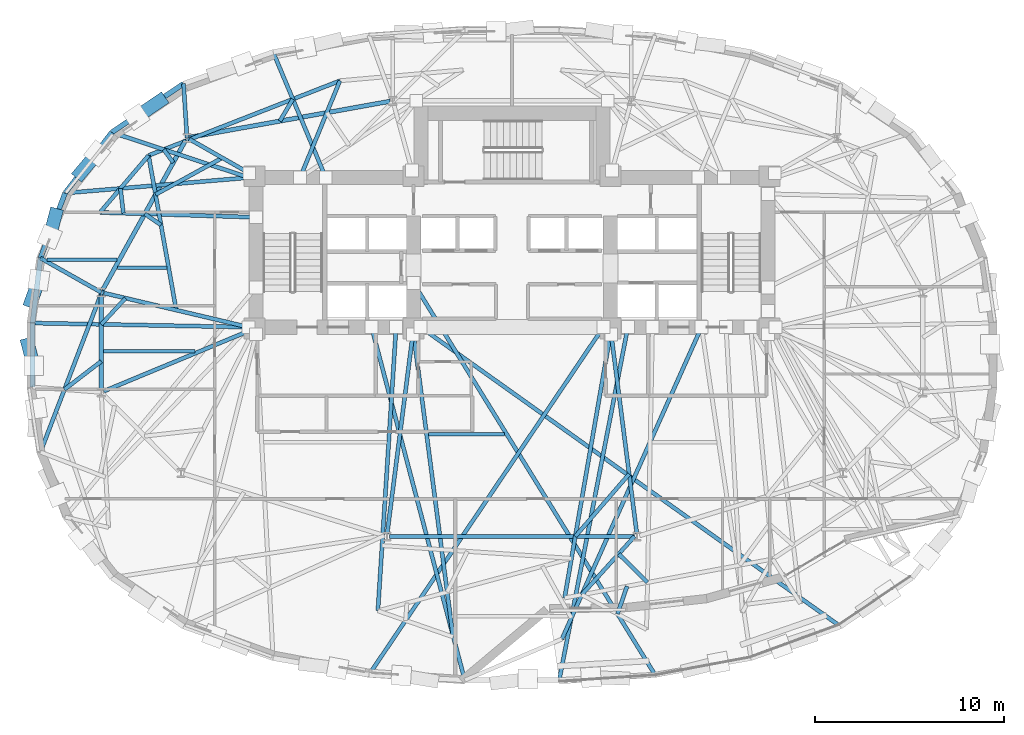
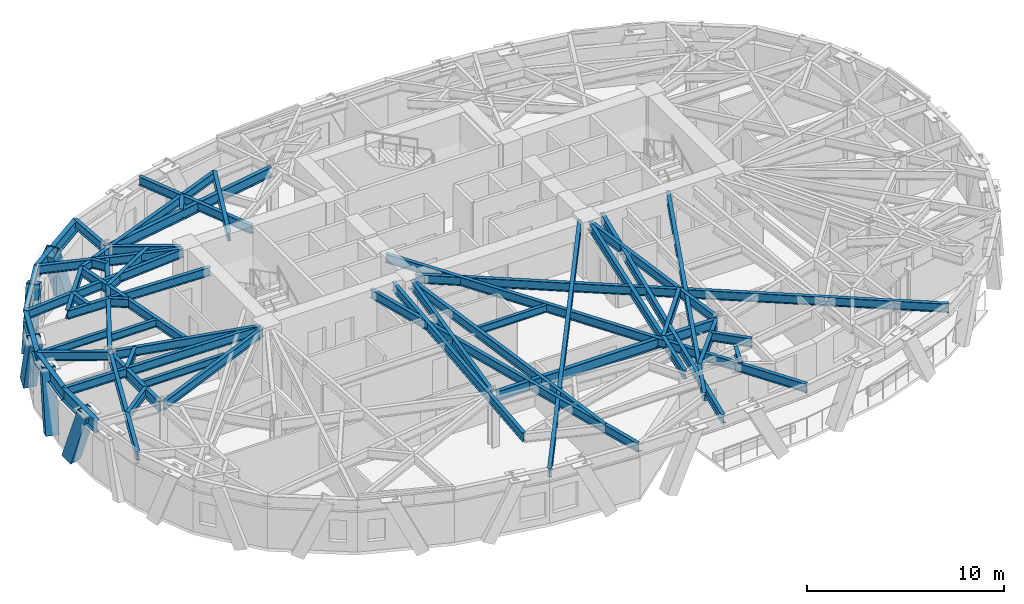
# One storey, part 2 of 14: 50 beams, 5 members.
"""IFC4 building model written with IfcOpenShell, lengths in metres."""

from ifc_helpers import new_model, si_unit, direction, frame, origin, origin_2d, place, context, subcontext, project, spatial, hollow_rectangle, i_section, extrude, material, material_profile, profile_set, type_object, element, save


model = new_model("IFC4")

# Units and contexts
model_context = context("Model", 3, precision=1e-05, world=origin(), true_north=direction((0.0, 1.0)))
body_context = subcontext(model_context, "Body", "Model", "MODEL_VIEW")
ifc_project = project(units=[si_unit("LENGTHUNIT", "METRE"), si_unit("AREAUNIT", "SQUARE_METRE"), si_unit("VOLUMEUNIT", "CUBIC_METRE"), si_unit("PLANEANGLEUNIT", "RADIAN"), si_unit("MASSUNIT", "GRAM", prefix="KILO")], contexts=[model_context])

# Site, building, storey
site_placement = place(None, origin())
site = spatial("IfcSite", under=ifc_project, at=site_placement, CompositionType="ELEMENT")
building_placement = place(site_placement, origin())
building = spatial("IfcBuilding", under=site, at=building_placement, Name="Keldmark Tower", CompositionType="ELEMENT")
storey_placement = place(building_placement, frame((0.0, 0.0, 128.10009765625)))
storey = spatial("IfcBuildingStorey", under=building, at=storey_placement, Name="L34", CompositionType="ELEMENT", Elevation=128.10009765625)

# Beams
ifc_material_1 = material(Name="Steel ASTM A992 Grade 50", Category="steel")
ifc_material_profile_1 = material_profile(ifc_material_1, i_section(OverallWidth=0.19091796875, OverallDepth=0.45703125, WebThickness=0.009033203125, FlangeThickness=0.014404296875, at=origin_2d()), Name="W18X50")
ifc_profile_set_1 = profile_set([ifc_material_profile_1], Name="Steel ASTM A992 Grade 50")
beam_type_1 = type_object("IfcBeamType", Name="Composite Floor Joist W18X50", PredefinedType="JOIST", material=ifc_profile_set_1)
beam_1_placement = place(storey_placement, frame((-4.4140625, -4.179931640625, 3.081298828125), z_axis=(1.0, 0.0, 0.0), x_axis=(0.0, 1.0, 0.0)))
element("IfcBeam", 1, at=beam_1_placement, inside=storey, type_object=beam_type_1, Name="L34 Composite Floor Joist J05", PredefinedType="JOIST", context=body_context, shape_type="SweptSolid", body=[
    extrude(i_section(OverallWidth=0.19091796875, OverallDepth=0.45703125, WebThickness=0.009033203125, FlangeThickness=0.014404296875, at=origin_2d()), origin(), (0.0, 0.0, 1.0), 4.0205078125),
])
beam_2_placement = place(storey_placement, frame((-21.59130859375, 0.199951171875, 3.081298828125), z_axis=(1.0, 0.0, 0.0), x_axis=(0.0, 1.0, 0.0)))
element("IfcBeam", 2, at=beam_2_placement, inside=storey, type_object=beam_type_1, Name="L34 Composite Floor Joist J07", PredefinedType="JOIST", context=body_context, shape_type="SweptSolid", body=[
    extrude(i_section(OverallWidth=0.19091796875, OverallDepth=0.45703125, WebThickness=0.009033203125, FlangeThickness=0.014404296875, at=origin_2d()), origin(), (0.0, 0.0, 1.0), 4.846435546875),
])
beam_3_placement = place(storey_placement, frame((-24.561279296875, 5.0400390625, 3.081298828125), z_axis=(1.0, 0.0, 0.0), x_axis=(0.0, 1.0, 0.0)))
element("IfcBeam", 3, at=beam_3_placement, inside=storey, type_object=beam_type_1, Name="L34 Composite Floor Joist J08", PredefinedType="JOIST", context=body_context, shape_type="SweptSolid", body=[
    extrude(i_section(OverallWidth=0.19091796875, OverallDepth=0.45703125, WebThickness=0.009033203125, FlangeThickness=0.014404296875, at=origin_2d()), origin(), (0.0, 0.0, 1.0), 3.702392578125),
])
beam_4_placement = place(storey_placement, frame((-20.84912109375, 4.6201171875, 3.081298828125), z_axis=(1.0, 0.0, 0.0), x_axis=(0.0, 1.0, 0.0)))
element("IfcBeam", 4, at=beam_4_placement, inside=storey, type_object=beam_type_1, Name="L34 Composite Floor Joist J09", PredefinedType="JOIST", context=body_context, shape_type="SweptSolid", body=[
    extrude(i_section(OverallWidth=0.19091796875, OverallDepth=0.45703125, WebThickness=0.009033203125, FlangeThickness=0.014404296875, at=origin_2d()), origin(), (0.0, 0.0, 1.0), 2.61376953125),
])

# Members
ifc_material_2 = material(Name="Steel ASTM A572 Grade 50", Category="steel")
ifc_material_profile_2 = material_profile(ifc_material_2, hollow_rectangle(XDim=0.699951171875, YDim=0.699951171875, WallThickness=0.044921875, at=origin_2d()), Name="BOX700X700X45")
ifc_profile_set_2 = profile_set([ifc_material_profile_2], Name="Steel ASTM A572 Grade 50")
member_type = type_object("IfcMemberType", Name="Diagrid Zone 2 Brace BOX700X700X45", PredefinedType="BRACE", material=ifc_profile_set_2)
member_1_placement = place(storey_placement, frame((-18.5810546875, 13.434814453125, -0.27001953125), z_axis=(-0.332866052083, -0.227549945207, 0.915107214378), x_axis=(0.564345149751, -0.825538946358, 0.0)))
element("IfcMember", 5, at=member_1_placement, inside=storey, type_object=member_type, Name="L34 Perimeter Diagrid Brace 06B", PredefinedType="BRACE", context=body_context, shape_type="SweptSolid", body=[
    extrude(hollow_rectangle(XDim=0.699951171875, YDim=0.699951171875, WallThickness=0.044921875, at=origin_2d()), origin(), (0.0, 0.0, 1.0), 3.781005859375),
])
member_2_placement = place(storey_placement, frame((-22.799072265625, 9.60888671875, -0.27001953125), z_axis=(0.23692186359, 0.281537445768, 0.929841221491), x_axis=(-0.765128479002, 0.643877636373, 0.0)))
element("IfcMember", 6, at=member_2_placement, inside=storey, type_object=member_type, Name="L34 Perimeter Diagrid Brace 07A", PredefinedType="BRACE", context=body_context, shape_type="SweptSolid", body=[
    extrude(hollow_rectangle(XDim=0.699951171875, YDim=0.699951171875, WallThickness=0.044921875, at=origin_2d()), origin(), (0.0, 0.0, 1.0), 3.720947265625),
])
member_3_placement = place(storey_placement, frame((-24.11376953125, 7.41796875, -0.27001953125), z_axis=(-0.084258205275, -0.321325920274, 0.943212705493), x_axis=(0.967297354931, -0.253645081057, 0.0)))
element("IfcMember", 7, at=member_3_placement, inside=storey, type_object=member_type, Name="L34 Perimeter Diagrid Brace 07B", PredefinedType="BRACE", context=body_context, shape_type="SweptSolid", body=[
    extrude(hollow_rectangle(XDim=0.699951171875, YDim=0.699951171875, WallThickness=0.044921875, at=origin_2d()), origin(), (0.0, 0.0, 1.0), 3.668212890625),
])
member_4_placement = place(storey_placement, frame((-25.397216796875, 2.844970703125, -0.27001953125), z_axis=(0.110913818266, 0.305313308404, 0.945770536985), x_axis=(-0.939901346585, 0.34144612853, 0.0)))
element("IfcMember", 8, at=member_4_placement, inside=storey, type_object=member_type, Name="L34 Perimeter Diagrid Brace 08A", PredefinedType="BRACE", context=body_context, shape_type="SweptSolid", body=[
    extrude(hollow_rectangle(XDim=0.699951171875, YDim=0.699951171875, WallThickness=0.044921875, at=origin_2d()), origin(), (0.0, 0.0, 1.0), 3.658447265625),
])
member_5_placement = place(storey_placement, frame((-25.56689453125, 0.564453125, -0.27001953125), z_axis=(0.081730206424, -0.31041439807, 0.947081345413), x_axis=(0.967042168317, 0.254616269505, 0.0)))
element("IfcMember", 9, at=member_5_placement, inside=storey, type_object=member_type, Name="L34 Perimeter Diagrid Brace 08B", PredefinedType="BRACE", context=body_context, shape_type="SweptSolid", body=[
    extrude(hollow_rectangle(XDim=0.699951171875, YDim=0.699951171875, WallThickness=0.044921875, at=origin_2d()), origin(), (0.0, 0.0, 1.0), 3.6533203125),
])

# Beams
ifc_material_3 = material(Name="Steel ASTM A992 Grade 50", Category="steel")
ifc_material_profile_3 = material_profile(ifc_material_3, i_section(OverallWidth=0.22900390625, OverallDepth=0.612060546875, WebThickness=0.011962890625, FlangeThickness=0.01953125, at=origin_2d()), Name="W24X84")
ifc_profile_set_3 = profile_set([ifc_material_profile_3], Name="Steel ASTM A992 Grade 50")
beam_type_2 = type_object("IfcBeamType", Name="Primary Floor Girder W24X84", PredefinedType="BEAM", material=ifc_profile_set_3)
beam_5_placement = place(storey_placement, frame((-6.4365234375, 13.40771484375, 3.00390625), z_axis=(-0.984218266992, -0.176958760505, 0.0), x_axis=(0.176958760505, -0.984218266992, 0.0)))
element("IfcBeam", 10, at=beam_5_placement, inside=storey, type_object=beam_type_2, Name="L34 Floor Ring Girder FG-R04", PredefinedType="BEAM", context=body_context, shape_type="SweptSolid", body=[
    extrude(i_section(OverallWidth=0.22900390625, OverallDepth=0.612060546875, WebThickness=0.011962890625, FlangeThickness=0.01953125, at=origin_2d()), origin(), (0.0, 0.0, 1.0), 10.7626953125),
])
beam_6_placement = place(storey_placement, frame((-17.235107421875, 11.35595703125, 3.00390625), z_axis=(-0.484951836703, -0.874540860154, 0.0), x_axis=(0.874540860154, -0.484951836703, 0.0)))
element("IfcBeam", 11, at=beam_6_placement, inside=storey, type_object=beam_type_2, Name="L34 Floor Ring Girder FG-R05", PredefinedType="BEAM", context=body_context, shape_type="SweptSolid", body=[
    extrude(i_section(OverallWidth=0.22900390625, OverallDepth=0.612060546875, WebThickness=0.011962890625, FlangeThickness=0.01953125, at=origin_2d()), origin(), (0.0, 0.0, 1.0), 9.060302734375),
])
beam_7_placement = place(storey_placement, frame((-21.697021484375, 3.169921875, 3.00390625), z_axis=(0.0, -1.0, 0.0), x_axis=(1.0, 0.0, 0.0)))
element("IfcBeam", 12, at=beam_7_placement, inside=storey, type_object=beam_type_2, Name="L34 Floor Ring Girder FG-R06", PredefinedType="BEAM", context=body_context, shape_type="SweptSolid", body=[
    extrude(i_section(OverallWidth=0.22900390625, OverallDepth=0.612060546875, WebThickness=0.011962890625, FlangeThickness=0.01953125, at=origin_2d()), origin(), (0.0, 0.0, 1.0), 4.995849609375),
])
beam_8_placement = place(storey_placement, frame((-6.472900390625, -9.579345703125, 3.00390625), z_axis=(1.0, 0.0, 0.0), x_axis=(0.0, 1.0, 0.0)))
element("IfcBeam", 13, at=beam_8_placement, inside=storey, type_object=beam_type_2, Name="L34 Floor Ring Girder FG-R09", PredefinedType="BEAM", context=body_context, shape_type="SweptSolid", body=[
    extrude(i_section(OverallWidth=0.22900390625, OverallDepth=0.612060546875, WebThickness=0.011962890625, FlangeThickness=0.01953125, at=origin_2d()), origin(), (0.0, 0.0, 1.0), 12.94580078125),
])
ifc_material_4 = material(Name="Steel ASTM A992 Grade 50", Category="steel")
ifc_material_profile_4 = material_profile(ifc_material_4, i_section(OverallWidth=0.2099609375, OverallDepth=0.537109375, WebThickness=0.010986328125, FlangeThickness=0.017333984375, at=origin_2d()), Name="W21X68")
ifc_profile_set_4 = profile_set([ifc_material_profile_4], Name="Steel ASTM A992 Grade 50")
beam_type_3 = type_object("IfcBeamType", Name="Radial Tie Girder W21X68", PredefinedType="BEAM", material=ifc_profile_set_4)
beam_9_placement = place(storey_placement, frame((-17.04541015625, 11.4091796875, 3.04150390625), z_axis=(0.86928447329, -0.494312152892, 0.0), x_axis=(0.494312152892, 0.86928447329, 0.0)))
element("IfcBeam", 14, at=beam_9_placement, inside=storey, type_object=beam_type_3, Name="L34 Floor Radial Girder FG-C05", PredefinedType="BEAM", context=body_context, shape_type="SweptSolid", body=[
    extrude(i_section(OverallWidth=0.2099609375, OverallDepth=0.537109375, WebThickness=0.010986328125, FlangeThickness=0.017333984375, at=origin_2d()), origin(), (0.0, 0.0, 1.0), 3.6435546875),
])
beam_10_placement = place(storey_placement, frame((-21.560546875, 3.27783203125, 3.04150390625), z_axis=(0.973283778272, -0.229605502879, 0.0), x_axis=(0.229605502879, 0.973283778272, 0.0)))
element("IfcBeam", 15, at=beam_10_placement, inside=storey, type_object=beam_type_3, Name="L34 Floor Radial Girder FG-C06", PredefinedType="BEAM", context=body_context, shape_type="SweptSolid", body=[
    extrude(i_section(OverallWidth=0.2099609375, OverallDepth=0.537109375, WebThickness=0.010986328125, FlangeThickness=0.017333984375, at=origin_2d()), origin(), (0.0, 0.0, 1.0), 7.85888671875),
])
beam_11_placement = place(storey_placement, frame((-21.567626953125, -1.912109375, 3.04150390625), z_axis=(0.923397393633, 0.383845350932, 0.0), x_axis=(-0.383845350932, 0.923397393633, 0.0)))
element("IfcBeam", 16, at=beam_11_placement, inside=storey, type_object=beam_type_3, Name="L34 Floor Radial Girder FG-C07", PredefinedType="BEAM", context=body_context, shape_type="SweptSolid", body=[
    extrude(i_section(OverallWidth=0.2099609375, OverallDepth=0.537109375, WebThickness=0.010986328125, FlangeThickness=0.017333984375, at=origin_2d()), origin(), (0.0, 0.0, 1.0), 8.30859375),
])
for number, where, z_axis, x_axis, name in (
    (17, (-6.594970703125, -9.4404296875, 3.04150390625), (0.127642040045, 0.991820301069, 0.0), (-0.991820301069, 0.127642040045, 0.0), "L34 Floor Radial Girder FG-C09"),
    (18, (6.594970703125, -9.4404296875, 3.04150390625), (-0.127642040045, 0.991820301069, 0.0), (-0.991820301069, -0.127642040045, 0.0), "L34 Floor Radial Girder FG-C10"),
):
    element("IfcBeam", number, at=place(storey_placement, frame(where, z_axis=z_axis, x_axis=x_axis)), inside=storey, type_object=beam_type_3, Name=name, PredefinedType="BEAM", context=body_context, shape_type="SweptSolid", body=[
        extrude(i_section(OverallWidth=0.2099609375, OverallDepth=0.537109375, WebThickness=0.010986328125, FlangeThickness=0.017333984375, at=origin_2d()), origin(), (0.0, 0.0, 1.0), 10.609619140625),
    ])
beam_12_placement = place(storey_placement, frame((-11.19287109375, 9.375, 3.04150390625), z_axis=(0.380156934952, 0.92492199931, 0.0), x_axis=(-0.92492199931, 0.380156934952, 0.0)))
element("IfcBeam", 19, at=beam_12_placement, inside=storey, type_object=beam_type_3, Name="L34 Sub-Ring Step Girder STP1-M05", PredefinedType="BEAM", context=body_context, shape_type="SweptSolid", body=[
    extrude(i_section(OverallWidth=0.2099609375, OverallDepth=0.537109375, WebThickness=0.010986328125, FlangeThickness=0.017333984375, at=origin_2d()), origin(), (0.0, 0.0, 1.0), 5.53076171875),
])
beam_13_placement = place(storey_placement, frame((-15.303466796875, 10.418701171875, 3.04150390625), z_axis=(-0.876409320531, -0.481566924618, 0.0), x_axis=(0.481566924618, -0.876409320531, 0.0)))
element("IfcBeam", 20, at=beam_13_placement, inside=storey, type_object=beam_type_3, Name="L34 Framing Pin Header PH-006", PredefinedType="BEAM", context=body_context, shape_type="SweptSolid", body=[
    extrude(i_section(OverallWidth=0.2099609375, OverallDepth=0.537109375, WebThickness=0.010986328125, FlangeThickness=0.017333984375, at=origin_2d()), origin(), (0.0, 0.0, 1.0), 4.022705078125),
])
beam_14_placement = place(storey_placement, frame((-17.736083984375, 2.375732421875, 3.04150390625), z_axis=(-0.176199966005, 0.984354393488, 0.0), x_axis=(-0.984354393488, -0.176199966005, 0.0)))
element("IfcBeam", 21, at=beam_14_placement, inside=storey, type_object=beam_type_3, Name="L34 Sub-Ring Step Girder STP1-M06", PredefinedType="BEAM", context=body_context, shape_type="SweptSolid", body=[
    extrude(i_section(OverallWidth=0.2099609375, OverallDepth=0.537109375, WebThickness=0.010986328125, FlangeThickness=0.017333984375, at=origin_2d()), origin(), (0.0, 0.0, 1.0), 8.29833984375),
])
beam_15_placement = place(storey_placement, frame((-9.09033203125, 14.490478515625, 3.04150390625), z_axis=(-0.931523340879, -0.363681543934, 0.0), x_axis=(0.363681543934, -0.931523340879, 0.0)))
element("IfcBeam", 22, at=beam_15_placement, inside=storey, type_object=beam_type_3, Name="L34 Perimeter Collector Ring Beam CRG1-M05", PredefinedType="BEAM", context=body_context, shape_type="SweptSolid", body=[
    extrude(i_section(OverallWidth=0.2099609375, OverallDepth=0.537109375, WebThickness=0.010986328125, FlangeThickness=0.017333984375, at=origin_2d()), origin(), (0.0, 0.0, 1.0), 10.850830078125),
])
beam_16_placement = place(storey_placement, frame((6.188720703125, -6.283447265625, 3.04150390625), z_axis=(-0.653456352154, -0.756964197192, 0.0), x_axis=(0.756964197192, -0.653456352154, 0.0)))
element("IfcBeam", 23, at=beam_16_placement, inside=storey, type_object=beam_type_3, Name="L34 Framing Pin Header PH-007", PredefinedType="BEAM", context=body_context, shape_type="SweptSolid", body=[
    extrude(i_section(OverallWidth=0.2099609375, OverallDepth=0.537109375, WebThickness=0.010986328125, FlangeThickness=0.017333984375, at=origin_2d()), origin(), (0.0, 0.0, 1.0), 4.35400390625),
])
beam_17_placement = place(storey_placement, frame((5.199951171875, 1.10009765625, 3.04150390625), z_axis=(-0.171263927692, -0.985225185971, 0.0), x_axis=(0.985225185971, -0.171263927692, 0.0)))
element("IfcBeam", 24, at=beam_17_placement, inside=storey, type_object=beam_type_3, Name="L34 Sub-Ring Step Girder STP2-M10", PredefinedType="BEAM", context=body_context, shape_type="SweptSolid", body=[
    extrude(i_section(OverallWidth=0.2099609375, OverallDepth=0.537109375, WebThickness=0.010986328125, FlangeThickness=0.017333984375, at=origin_2d()), origin(), (0.0, 0.0, 1.0), 14.138427734375),
])
beam_18_placement = place(storey_placement, frame((-12.2626953125, 12.360107421875, 3.04150390625), z_axis=(0.509290771818, 0.860594509476, 0.0), x_axis=(-0.860594509476, 0.509290771818, 0.0)))
element("IfcBeam", 25, at=beam_18_placement, inside=storey, type_object=beam_type_3, Name="L34 Framing Pin Header PH-016", PredefinedType="BEAM", context=body_context, shape_type="SweptSolid", body=[
    extrude(i_section(OverallWidth=0.2099609375, OverallDepth=0.537109375, WebThickness=0.010986328125, FlangeThickness=0.017333984375, at=origin_2d()), origin(), (0.0, 0.0, 1.0), 1.347412109375),
])
beam_19_placement = place(storey_placement, frame((-9.83935546875, 9.375, 3.04150390625), z_axis=(-0.38653574613, 0.92227442606, 0.0), x_axis=(-0.92227442606, -0.38653574613, 0.0)))
element("IfcBeam", 26, at=beam_19_placement, inside=storey, type_object=beam_type_3, Name="L34 Perimeter Radial Tie Girder RT-11", PredefinedType="BEAM", context=body_context, shape_type="SweptSolid", body=[
    extrude(i_section(OverallWidth=0.2099609375, OverallDepth=0.537109375, WebThickness=0.010986328125, FlangeThickness=0.017333984375, at=origin_2d()), origin(), (0.0, 0.0, 1.0), 7.191650390625),
])
beam_20_placement = place(storey_placement, frame((-17.1669921875, 11.478271484375, 3.04150390625), z_axis=(-0.06397671116, 0.997951391817, 0.0), x_axis=(-0.997951391817, -0.06397671116, 0.0)))
element("IfcBeam", 27, at=beam_20_placement, inside=storey, type_object=beam_type_3, Name="L34 Perimeter Column Bracket RT-12", PredefinedType="BEAM", context=body_context, shape_type="SweptSolid", body=[
    extrude(i_section(OverallWidth=0.2099609375, OverallDepth=0.537109375, WebThickness=0.010986328125, FlangeThickness=0.017333984375, at=origin_2d()), origin(), (0.0, 0.0, 1.0), 2.862060546875),
])
beam_21_placement = place(storey_placement, frame((-17.89404296875, 10.16748046875, 3.04150390625), z_axis=(-0.587098903386, 0.809515211495, 0.0), x_axis=(-0.809515211495, -0.587098903386, 0.0)))
element("IfcBeam", 28, at=beam_21_placement, inside=storey, type_object=beam_type_3, Name="L34 Framing Pin Header PH-017", PredefinedType="BEAM", context=body_context, shape_type="SweptSolid", body=[
    extrude(i_section(OverallWidth=0.2099609375, OverallDepth=0.537109375, WebThickness=0.010986328125, FlangeThickness=0.017333984375, at=origin_2d()), origin(), (0.0, 0.0, 1.0), 0.852783203125),
])
beam_22_placement = place(storey_placement, frame((-13.89990234375, 9.375, 3.04150390625), z_axis=(-0.949658467543, 0.313287080844, 0.0), x_axis=(-0.313287080844, -0.949658467543, 0.0)))
element("IfcBeam", 29, at=beam_22_placement, inside=storey, type_object=beam_type_3, Name="L34 Perimeter Radial Tie Girder RT-13", PredefinedType="BEAM", context=body_context, shape_type="SweptSolid", body=[
    extrude(i_section(OverallWidth=0.2099609375, OverallDepth=0.537109375, WebThickness=0.010986328125, FlangeThickness=0.017333984375, at=origin_2d()), origin(), (0.0, 0.0, 1.0), 7.625244140625),
])
beam_23_placement = place(storey_placement, frame((-18.540283203125, 6.868408203125, 3.04150390625), z_axis=(-0.822133027431, 0.569295428761, 0.0), x_axis=(-0.569295428761, -0.822133027431, 0.0)))
element("IfcBeam", 30, at=beam_23_placement, inside=storey, type_object=beam_type_3, Name="L34 Framing Pin Header PH-018", PredefinedType="BEAM", context=body_context, shape_type="SweptSolid", body=[
    extrude(i_section(OverallWidth=0.2099609375, OverallDepth=0.537109375, WebThickness=0.010986328125, FlangeThickness=0.017333984375, at=origin_2d()), origin(), (0.0, 0.0, 1.0), 1.0400390625),
])
beam_24_placement = place(storey_placement, frame((-13.52490234375, 7.278564453125, 3.04150390625), z_axis=(-0.999521048581, 0.030946299353, 0.0), x_axis=(-0.030946299353, -0.999521048581, 0.0)))
element("IfcBeam", 31, at=beam_24_placement, inside=storey, type_object=beam_type_3, Name="L34 Intermediate Radial Step Girder RT-14M", PredefinedType="BEAM", context=body_context, shape_type="SweptSolid", body=[
    extrude(i_section(OverallWidth=0.2099609375, OverallDepth=0.537109375, WebThickness=0.010986328125, FlangeThickness=0.017333984375, at=origin_2d()), origin(), (0.0, 0.0, 1.0), 8.244140625),
])
beam_25_placement = place(storey_placement, frame((-19.1982421875, 10.544189453125, 3.04150390625), z_axis=(-0.648817367581, -0.76094416584, 0.0), x_axis=(0.76094416584, -0.648817367581, 0.0)))
element("IfcBeam", 32, at=beam_25_placement, inside=storey, type_object=beam_type_3, Name="L34 Local Collector Chord RT-14C", PredefinedType="BEAM", context=body_context, shape_type="SweptSolid", body=[
    extrude(i_section(OverallWidth=0.2099609375, OverallDepth=0.537109375, WebThickness=0.010986328125, FlangeThickness=0.017333984375, at=origin_2d()), origin(), (0.0, 0.0, 1.0), 3.956298828125),
])
beam_26_placement = place(storey_placement, frame((-20.529296875, 7.49560546875, 3.04150390625), z_axis=(-0.116841247567, 0.993150604323, 0.0), x_axis=(-0.993150604323, -0.116841247567, 0.0)))
element("IfcBeam", 33, at=beam_26_placement, inside=storey, type_object=beam_type_3, Name="L34 Framing Pin Header PH-019", PredefinedType="BEAM", context=body_context, shape_type="SweptSolid", body=[
    extrude(i_section(OverallWidth=0.2099609375, OverallDepth=0.537109375, WebThickness=0.010986328125, FlangeThickness=0.017333984375, at=origin_2d()), origin(), (0.0, 0.0, 1.0), 1.31640625),
])
beam_27_placement = place(storey_placement, frame((-13.89990234375, 9.375, 3.04150390625), z_axis=(-0.996462314215, -0.084040801697, 0.0), x_axis=(0.084040801697, -0.996462314215, 0.0)))
element("IfcBeam", 34, at=beam_27_placement, inside=storey, type_object=beam_type_3, Name="L34 Perimeter Radial Tie Girder RT-14", PredefinedType="BEAM", context=body_context, shape_type="SweptSolid", body=[
    extrude(i_section(OverallWidth=0.2099609375, OverallDepth=0.537109375, WebThickness=0.010986328125, FlangeThickness=0.017333984375, at=origin_2d()), origin(), (0.0, 0.0, 1.0), 9.743408203125),
])
beam_28_placement = place(storey_placement, frame((-21.697021484375, 3.309814453125, 3.04150390625), z_axis=(-0.870805571728, 0.49162755847, 0.0), x_axis=(-0.49162755847, -0.870805571728, 0.0)))
element("IfcBeam", 35, at=beam_28_placement, inside=storey, type_object=beam_type_3, Name="L34 Perimeter Column Bracket RT-15", PredefinedType="BEAM", context=body_context, shape_type="SweptSolid", body=[
    extrude(i_section(OverallWidth=0.2099609375, OverallDepth=0.537109375, WebThickness=0.010986328125, FlangeThickness=0.017333984375, at=origin_2d()), origin(), (0.0, 0.0, 1.0), 3.688720703125),
])
beam_29_placement = place(storey_placement, frame((-20.4130859375, 3.007080078125, 3.04150390625), z_axis=(-0.6799698992, -0.733240026309, 0.0), x_axis=(0.733240026309, -0.6799698992, 0.0)))
element("IfcBeam", 36, at=beam_29_placement, inside=storey, type_object=beam_type_3, Name="L34 Framing Pin Header PH-020", PredefinedType="BEAM", context=body_context, shape_type="SweptSolid", body=[
    extrude(i_section(OverallWidth=0.2099609375, OverallDepth=0.537109375, WebThickness=0.010986328125, FlangeThickness=0.017333984375, at=origin_2d()), origin(), (0.0, 0.0, 1.0), 1.88818359375),
])
beam_30_placement = place(storey_placement, frame((-13.89990234375, 1.47509765625, 3.04150390625), z_axis=(-0.999820921481, 0.018924190054, 0.0), x_axis=(-0.018924190054, -0.999820921481, 0.0)))
element("IfcBeam", 37, at=beam_30_placement, inside=storey, type_object=beam_type_3, Name="L34 Perimeter Radial Tie Girder RT-16", PredefinedType="BEAM", context=body_context, shape_type="SweptSolid", body=[
    extrude(i_section(OverallWidth=0.2099609375, OverallDepth=0.537109375, WebThickness=0.010986328125, FlangeThickness=0.017333984375, at=origin_2d()), origin(), (0.0, 0.0, 1.0), 11.43017578125),
])
beam_31_placement = place(storey_placement, frame((-21.697021484375, -0.3271484375, 3.04150390625), z_axis=(-0.793548651541, -0.608506809854, 0.0), x_axis=(0.608506809854, -0.793548651541, 0.0)))
element("IfcBeam", 38, at=beam_31_placement, inside=storey, type_object=beam_type_3, Name="L34 Framing Pin Header PH-021", PredefinedType="BEAM", context=body_context, shape_type="SweptSolid", body=[
    extrude(i_section(OverallWidth=0.2099609375, OverallDepth=0.537109375, WebThickness=0.010986328125, FlangeThickness=0.017333984375, at=origin_2d()), origin(), (0.0, 0.0, 1.0), 2.451416015625),
])
beam_32_placement = place(storey_placement, frame((-21.62890625, 3.432373046875, 3.04150390625), z_axis=(-0.357993313384, -0.933724149614, 0.0), x_axis=(0.933724149614, -0.357993313384, 0.0)))
element("IfcBeam", 39, at=beam_32_placement, inside=storey, type_object=beam_type_3, Name="L34 Perimeter Radial Tie Girder RT-18", PredefinedType="BEAM", context=body_context, shape_type="SweptSolid", body=[
    extrude(i_section(OverallWidth=0.2099609375, OverallDepth=0.537109375, WebThickness=0.010986328125, FlangeThickness=0.017333984375, at=origin_2d()), origin(), (0.0, 0.0, 1.0), 9.162841796875),
])
beam_33_placement = place(storey_placement, frame((-6.121337890625, 1.47509765625, 3.04150390625), z_axis=(-0.064143573789, -0.997940680573, 0.0), x_axis=(0.997940680573, -0.064143573789, 0.0)))
element("IfcBeam", 40, at=beam_33_placement, inside=storey, type_object=beam_type_3, Name="L34 Intermediate Radial Step Girder RT-23M", PredefinedType="BEAM", context=body_context, shape_type="SweptSolid", body=[
    extrude(i_section(OverallWidth=0.2099609375, OverallDepth=0.537109375, WebThickness=0.010986328125, FlangeThickness=0.017333984375, at=origin_2d()), origin(), (0.0, 0.0, 1.0), 15.015380859375),
])
beam_34_placement = place(storey_placement, frame((-5.199951171875, 1.10009765625, 3.04150390625), z_axis=(0.129405860436, -0.991591711989, 0.0), x_axis=(0.991591711989, 0.129405860436, 0.0)))
element("IfcBeam", 41, at=beam_34_placement, inside=storey, type_object=beam_type_3, Name="L34 Intermediate Radial Step Girder RT-24M", PredefinedType="BEAM", context=body_context, shape_type="SweptSolid", body=[
    extrude(i_section(OverallWidth=0.2099609375, OverallDepth=0.537109375, WebThickness=0.010986328125, FlangeThickness=0.017333984375, at=origin_2d()), origin(), (0.0, 0.0, 1.0), 16.123046875),
])
beam_35_placement = place(storey_placement, frame((-7.41796875, 1.47509765625, 3.04150390625), z_axis=(0.255265204255, -0.966871074909, 0.0), x_axis=(0.966871074909, 0.255265204255, 0.0)))
element("IfcBeam", 42, at=beam_35_placement, inside=storey, type_object=beam_type_3, Name="L34 Perimeter Radial Tie Girder RT-24", PredefinedType="BEAM", context=body_context, shape_type="SweptSolid", body=[
    extrude(i_section(OverallWidth=0.2099609375, OverallDepth=0.537109375, WebThickness=0.010986328125, FlangeThickness=0.017333984375, at=origin_2d()), origin(), (0.0, 0.0, 1.0), 19.287109375),
])
beam_36_placement = place(storey_placement, frame((6.472900390625, -9.579345703125, 3.04150390625), z_axis=(-0.671065624222, -0.741397955208, 0.0), x_axis=(0.741397955208, -0.671065624222, 0.0)))
element("IfcBeam", 43, at=beam_36_placement, inside=storey, type_object=beam_type_3, Name="L34 Framing Pin Header PH-027", PredefinedType="BEAM", context=body_context, shape_type="SweptSolid", body=[
    extrude(i_section(OverallWidth=0.2099609375, OverallDepth=0.537109375, WebThickness=0.010986328125, FlangeThickness=0.017333984375, at=origin_2d()), origin(), (0.0, 0.0, 1.0), 4.155029296875),
])
beam_37_placement = place(storey_placement, frame((10.0107421875, 1.47509765625, 3.04150390625), z_axis=(-0.40850633031, -0.912755486479, 0.0), x_axis=(0.912755486479, -0.40850633031, 0.0)))
element("IfcBeam", 44, at=beam_37_placement, inside=storey, type_object=beam_type_3, Name="L34 Intermediate Radial Step Girder RT-25M", PredefinedType="BEAM", context=body_context, shape_type="SweptSolid", body=[
    extrude(i_section(OverallWidth=0.2099609375, OverallDepth=0.537109375, WebThickness=0.010986328125, FlangeThickness=0.017333984375, at=origin_2d()), origin(), (0.0, 0.0, 1.0), 18.05126953125),
])
beam_38_placement = place(storey_placement, frame((6.121337890625, 1.47509765625, 3.04150390625), z_axis=(-0.190903712125, -0.981608767635, 0.0), x_axis=(0.981608767635, -0.190903712125, 0.0)))
element("IfcBeam", 45, at=beam_38_placement, inside=storey, type_object=beam_type_3, Name="L34 Perimeter Radial Tie Girder RT-25", PredefinedType="BEAM", context=body_context, shape_type="SweptSolid", body=[
    extrude(i_section(OverallWidth=0.2099609375, OverallDepth=0.537109375, WebThickness=0.010986328125, FlangeThickness=0.017333984375, at=origin_2d()), origin(), (0.0, 0.0, 1.0), 18.99755859375),
])
beam_39_placement = place(storey_placement, frame((5.63623046875, -10.50341796875, 3.04150390625), z_axis=(0.71023590374, -0.703963749805, 0.0), x_axis=(0.703963749805, 0.71023590374, 0.0)))
element("IfcBeam", 46, at=beam_39_placement, inside=storey, type_object=beam_type_3, Name="L34 Framing Pin Header PH-029", PredefinedType="BEAM", context=body_context, shape_type="SweptSolid", body=[
    extrude(i_section(OverallWidth=0.2099609375, OverallDepth=0.537109375, WebThickness=0.010986328125, FlangeThickness=0.017333984375, at=origin_2d()), origin(), (0.0, 0.0, 1.0), 2.140869140625),
])
beam_40_placement = place(storey_placement, frame((6.076416015625, -12.21240234375, 3.04150390625), z_axis=(-0.325932226808, -0.945393137022, 0.0), x_axis=(0.945393137022, -0.325932226808, 0.0)))
element("IfcBeam", 47, at=beam_40_placement, inside=storey, type_object=beam_type_3, Name="L34 Framing Pin Header PH-030", PredefinedType="BEAM", context=body_context, shape_type="SweptSolid", body=[
    extrude(i_section(OverallWidth=0.2099609375, OverallDepth=0.537109375, WebThickness=0.010986328125, FlangeThickness=0.017333984375, at=origin_2d()), origin(), (0.0, 0.0, 1.0), 1.54443359375),
])
beam_41_placement = place(storey_placement, frame((-5.199951171875, 3.800048828125, 3.04150390625), z_axis=(0.524821871943, -0.851212078586, 0.0), x_axis=(0.851212078586, 0.524821871943, 0.0)))
element("IfcBeam", 48, at=beam_41_placement, inside=storey, type_object=beam_type_3, Name="L34 Perimeter Radial Tie Girder RT-26", PredefinedType="BEAM", context=body_context, shape_type="SweptSolid", body=[
    extrude(i_section(OverallWidth=0.2099609375, OverallDepth=0.537109375, WebThickness=0.010986328125, FlangeThickness=0.017333984375, at=origin_2d()), origin(), (0.0, 0.0, 1.0), 24.3056640625),
])
beam_42_placement = place(storey_placement, frame((-4.824951171875, 1.47509765625, 3.04150390625), z_axis=(0.814249828285, -0.58051461406, 0.0), x_axis=(0.58051461406, 0.814249828285, 0.0)))
element("IfcBeam", 49, at=beam_42_placement, inside=storey, type_object=beam_type_3, Name="L34 Perimeter Radial Tie Girder RT-28", PredefinedType="BEAM", context=body_context, shape_type="SweptSolid", body=[
    extrude(i_section(OverallWidth=0.2099609375, OverallDepth=0.537109375, WebThickness=0.010986328125, FlangeThickness=0.017333984375, at=origin_2d()), origin(), (0.0, 0.0, 1.0), 27.233642578125),
])
beam_43_placement = place(storey_placement, frame((4.824951171875, 1.47509765625, 3.04150390625), z_axis=(-0.559014617379, -0.829157800154, 0.0), x_axis=(0.829157800154, -0.559014617379, 0.0)))
element("IfcBeam", 50, at=beam_43_placement, inside=storey, type_object=beam_type_3, Name="L34 Perimeter Radial Tie Girder RT-23R", PredefinedType="BEAM", context=body_context, shape_type="SweptSolid", body=[
    extrude(i_section(OverallWidth=0.2099609375, OverallDepth=0.537109375, WebThickness=0.010986328125, FlangeThickness=0.017333984375, at=origin_2d()), origin(), (0.0, 0.0, 1.0), 22.148193359375),
])
ifc_material_5 = material(Name="Steel ASTM A992 Grade 50", Category="steel")
ifc_material_profile_5 = material_profile(ifc_material_5, i_section(OverallWidth=0.26806640625, OverallDepth=0.77001953125, WebThickness=0.015625, FlangeThickness=0.025390625, at=origin_2d()), Name="W30X132")
ifc_profile_set_5 = profile_set([ifc_material_profile_5], Name="Steel ASTM A992 Grade 50")
beam_type_4 = type_object("IfcBeamType", Name="Spandrel Ring Beam W30X132", PredefinedType="SPANDREL", material=ifc_profile_set_5)
beam_44_placement = place(storey_placement, frame((-17.35009765625, 14.33447265625, 2.9248046875), z_axis=(-0.827687098101, -0.561189867725, 0.0), x_axis=(0.561189867725, -0.827687098101, 0.0)))
element("IfcBeam", 51, at=beam_44_placement, inside=storey, type_object=beam_type_4, Name="L34 Perimeter Spandrel Ring Beam SRB-12", PredefinedType="SPANDREL", context=body_context, shape_type="SweptSolid", body=[
    extrude(i_section(OverallWidth=0.26806640625, OverallDepth=0.77001953125, WebThickness=0.015625, FlangeThickness=0.025390625, at=origin_2d()), origin(), (0.0, 0.0, 1.0), 4.58056640625),
])
beam_45_placement = place(storey_placement, frame((-21.141357421875, 11.763916015625, 2.9248046875), z_axis=(-0.609713676223, -0.792621746501, 0.0), x_axis=(0.792621746501, -0.609713676223, 0.0)))
element("IfcBeam", 52, at=beam_45_placement, inside=storey, type_object=beam_type_4, Name="L34 Perimeter Spandrel Ring Beam SRB-13", PredefinedType="SPANDREL", context=body_context, shape_type="SweptSolid", body=[
    extrude(i_section(OverallWidth=0.26806640625, OverallDepth=0.77001953125, WebThickness=0.015625, FlangeThickness=0.025390625, at=origin_2d()), origin(), (0.0, 0.0, 1.0), 4.047119140625),
])
beam_46_placement = place(storey_placement, frame((-23.60888671875, 8.55615234375, 2.9248046875), z_axis=(-0.354219131363, -0.935162449511, 0.0), x_axis=(0.935162449511, -0.354219131363, 0.0)))
element("IfcBeam", 53, at=beam_46_placement, inside=storey, type_object=beam_type_4, Name="L34 Perimeter Spandrel Ring Beam SRB-14", PredefinedType="SPANDREL", context=body_context, shape_type="SweptSolid", body=[
    extrude(i_section(OverallWidth=0.26806640625, OverallDepth=0.77001953125, WebThickness=0.015625, FlangeThickness=0.025390625, at=origin_2d()), origin(), (0.0, 0.0, 1.0), 3.6708984375),
])
beam_47_placement = place(storey_placement, frame((-24.9091796875, 5.123291015625, 2.9248046875), z_axis=(-0.121174866484, -0.992631176083, 0.0), x_axis=(0.992631176083, -0.121174866484, 0.0)))
element("IfcBeam", 54, at=beam_47_placement, inside=storey, type_object=beam_type_4, Name="L34 Perimeter Spandrel Ring Beam SRB-15", PredefinedType="SPANDREL", context=body_context, shape_type="SweptSolid", body=[
    extrude(i_section(OverallWidth=0.26806640625, OverallDepth=0.77001953125, WebThickness=0.015625, FlangeThickness=0.025390625, at=origin_2d()), origin(), (0.0, 0.0, 1.0), 3.457275390625),
])
beam_48_placement = place(storey_placement, frame((-25.328125, 1.69140625, 2.9248046875), z_axis=(0.0, -1.0, 0.0), x_axis=(1.0, 0.0, 0.0)))
element("IfcBeam", 55, at=beam_48_placement, inside=storey, type_object=beam_type_4, Name="L34 Perimeter Spandrel Ring Beam SRB-16", PredefinedType="SPANDREL", context=body_context, shape_type="SweptSolid", body=[
    extrude(i_section(OverallWidth=0.26806640625, OverallDepth=0.77001953125, WebThickness=0.015625, FlangeThickness=0.025390625, at=origin_2d()), origin(), (0.0, 0.0, 1.0), 3.3828125),
])

save(model, "model.ifc")
